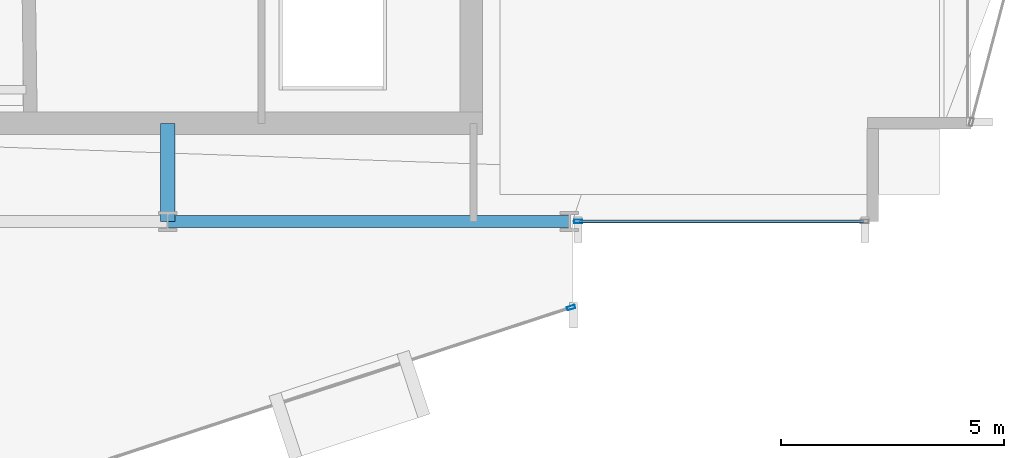
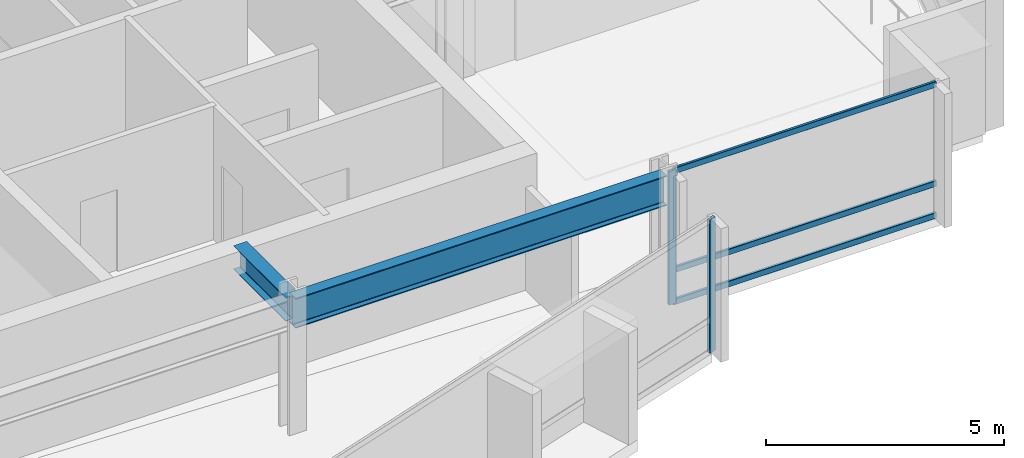
# One storey, part 10 of 28: 5 members, 2 beams, 2 elements without a shape of their own.
"""IFC4 building model written with IfcOpenShell, lengths in metres."""

from ifc_helpers import new_model, si_unit, direction, frame, origin, origin_2d, place, context, subcontext, project, spatial, hollow_rectangle, i_section, extrude, material, layer, layer_set, material_profile, profile_set, type_object, element, aggregate, save


model = new_model("IFC4")

# Units and contexts
model_context = context("Model", 3, precision=1e-05, world=origin(), true_north=direction((0.0, 1.0)))
body_context = subcontext(model_context, "Body", "Model", "MODEL_VIEW")
ifc_project = project(units=[si_unit("LENGTHUNIT", "METRE"), si_unit("AREAUNIT", "SQUARE_METRE"), si_unit("VOLUMEUNIT", "CUBIC_METRE"), si_unit("PLANEANGLEUNIT", "RADIAN"), si_unit("MASSUNIT", "GRAM", prefix="KILO")], contexts=[model_context])

# Site, building, storey
site_placement = place(None, origin())
site = spatial("IfcSite", under=ifc_project, at=site_placement, CompositionType="ELEMENT")
building_placement = place(site_placement, origin())
building = spatial("IfcBuilding", under=site, at=building_placement, Name="Solvaryn Broadcast Tower", CompositionType="ELEMENT")
storey_placement = place(building_placement, frame((0.0, 0.0, 135.89990234375)))
storey = spatial("IfcBuildingStorey", under=building, at=storey_placement, Name="L33", CompositionType="ELEMENT", Elevation=135.89990234375)

# Beams
ifc_material_1 = material(Name="Steel ASTM A992 Grade 50", Category="steel")
ifc_material_profile_1 = material_profile(ifc_material_1, i_section(OverallWidth=0.323974609375, OverallDepth=0.611083984375, WebThickness=0.0126953125, FlangeThickness=0.01904296875, FilletRadius=0.014892578125, at=origin_2d()))
ifc_profile_set_1 = profile_set([ifc_material_profile_1], Name="Steel ASTM A992 Grade 50")
beam_type_1 = type_object("IfcBeamType", Name="BM-B1-W24X104", PredefinedType="BEAM", material=ifc_profile_set_1)
beam_1_placement = place(storey_placement, frame((36.0, 9.0, 3.114501953125), z_axis=(0.0, 1.0, 0.0), x_axis=(-1.0, 0.0, 0.0)))
element("IfcBeam", 1, at=beam_1_placement, inside=storey, type_object=beam_type_1, Name="L33 Core Tie Beam CTE1", PredefinedType="BEAM", context=body_context, shape_type="SweptSolid", body=[
    extrude(i_section(OverallWidth=0.323974609375, OverallDepth=0.611083984375, WebThickness=0.0126953125, FlangeThickness=0.01904296875, FilletRadius=0.014892578125, at=origin_2d()), origin(), (0.0, 0.0, 1.0), 2.199951171875),
])
ifc_material_2 = material(Name="Steel ASTM A992 Grade 50", Category="steel")
ifc_material_profile_2 = material_profile(ifc_material_2, i_section(OverallWidth=0.26708984375, OverallDepth=0.76611328125, WebThickness=0.014892578125, FlangeThickness=0.023681640625, FilletRadius=0.01806640625, at=origin_2d()))
ifc_profile_set_2 = profile_set([ifc_material_profile_2], Name="Steel ASTM A992 Grade 50")
beam_type_2 = type_object("IfcBeamType", Name="BM-SP2-W30X124", PredefinedType="USERDEFINED", material=ifc_profile_set_2)
beam_2_placement = place(storey_placement, frame((36.0, 9.0, 3.037109375), z_axis=(1.0, 0.0, 0.0), x_axis=(0.0, 1.0, 0.0)))
element("IfcBeam", 2, at=beam_2_placement, inside=storey, type_object=beam_type_2, Name="L33 Spandrel Beam X (36-45 @ Y=9)", ObjectType="SPANDREL", PredefinedType="USERDEFINED", context=body_context, shape_type="SweptSolid", body=[
    extrude(i_section(OverallWidth=0.26708984375, OverallDepth=0.76611328125, WebThickness=0.014892578125, FlangeThickness=0.023681640625, FilletRadius=0.01806640625, at=origin_2d()), origin(), (0.0, 0.0, 1.0), 9.0),
])

# Curtain wall, member
ifc_material_3 = material(Name="Aluminium and Terracotta Unitised Curtain Wall", Category="masonry")
ifc_layer = layer(ifc_material_3, 0.199951171875)
ifc_layer_set = layer_set([ifc_layer], Name="CW-SYS2-LOWMID")
curtain_wall_type = type_object("IfcCurtainWallType", Name="CW-SYS2-LOWMID", PredefinedType="NOTDEFINED", material=ifc_layer_set)
curtain_wall_1_placement = place(storey_placement, origin())
curtain_wall_1 = element("IfcCurtainWall", 3, at=curtain_wall_1_placement, inside=storey, type_object=curtain_wall_type, Name="L33 Curtain Wall DR4", PredefinedType="NOTDEFINED")
ifc_material_4 = material(Name="Anodised Aluminium 6063-T6", Category="aluminium")
ifc_material_profile_3 = material_profile(ifc_material_4, hollow_rectangle(XDim=0.074951171875, YDim=0.179931640625, WallThickness=0.00390625, InnerFilletRadius=0.00390625, OuterFilletRadius=0.008056640625, at=origin_2d()))
ifc_profile_set_3 = profile_set([ifc_material_profile_3], Name="Anodised Aluminium 6063-T6")
member_type_1 = type_object("IfcMemberType", Name="CW-MUL-180", PredefinedType="MULLION", material=ifc_profile_set_3)
member_1_placement = place(storey_placement, frame((45.03857421875, 7.069580078125, 0.0), z_axis=(0.0, 0.0, 1.0), x_axis=(-0.311646057547, 0.950198260794, 0.0)))
member_1 = element("IfcMember", 4, at=member_1_placement, type_object=member_type_1, Name="CWS2 mullion 2", PredefinedType="MULLION", context=body_context, shape_type="SweptSolid", body=[
    extrude(hollow_rectangle(XDim=0.074951171875, YDim=0.179931640625, WallThickness=0.00390625, InnerFilletRadius=0.00390625, OuterFilletRadius=0.008056640625, at=origin_2d()), origin(), (0.0, 0.0, 1.0), 3.420166015625),
])
aggregate(curtain_wall_1, [member_1])

# Curtain wall, members
curtain_wall_2_placement = place(storey_placement, origin())
curtain_wall_2 = element("IfcCurtainWall", 5, at=curtain_wall_2_placement, inside=storey, type_object=curtain_wall_type, Name="L33 Curtain Wall S2", PredefinedType="NOTDEFINED")
member_2_placement = place(storey_placement, frame((45.197021484375, 9.0, 0.0), z_axis=(0.0, 0.0, 1.0), x_axis=(0.0, 1.0, 0.0)))
member_2 = element("IfcMember", 6, at=member_2_placement, type_object=member_type_1, Name="CWS2 mullion 1", PredefinedType="MULLION", context=body_context, shape_type="SweptSolid", body=[
    extrude(hollow_rectangle(XDim=0.074951171875, YDim=0.179931640625, WallThickness=0.00390625, InnerFilletRadius=0.00390625, OuterFilletRadius=0.008056640625, at=origin_2d()), origin(), (0.0, 0.0, 1.0), 3.420166015625),
])
ifc_material_5 = material(Name="Anodised Aluminium 6063-T6", Category="aluminium")
ifc_material_profile_4 = material_profile(ifc_material_5, hollow_rectangle(XDim=0.06494140625, YDim=0.14990234375, WallThickness=0.00390625, InnerFilletRadius=0.00390625, OuterFilletRadius=0.008056640625, at=origin_2d()))
ifc_profile_set_4 = profile_set([ifc_material_profile_4], Name="Anodised Aluminium 6063-T6")
member_type_2 = type_object("IfcMemberType", Name="CW-TRN-150", PredefinedType="USERDEFINED", material=ifc_profile_set_4)
member_3_placement = place(storey_placement, frame((45.22705078125, 9.0, 0.030029296875), z_axis=(1.0, 0.0, 0.0), x_axis=(0.0, 1.0, 0.0)))
member_3 = element("IfcMember", 7, at=member_3_placement, type_object=member_type_2, Name="CWS2 transom 1.1", ObjectType="TRANSOM", PredefinedType="USERDEFINED", context=body_context, shape_type="SweptSolid", body=[
    extrude(hollow_rectangle(XDim=0.06494140625, YDim=0.14990234375, WallThickness=0.00390625, InnerFilletRadius=0.00390625, OuterFilletRadius=0.008056640625, at=origin_2d()), origin(), (0.0, 0.0, 1.0), 6.363037109375),
])
member_4_placement = place(storey_placement, frame((45.22705078125, 9.0, 0.85009765625), z_axis=(1.0, 0.0, 0.0), x_axis=(0.0, 1.0, 0.0)))
member_4 = element("IfcMember", 8, at=member_4_placement, type_object=member_type_2, Name="CWS2 transom 1.2", ObjectType="TRANSOM", PredefinedType="USERDEFINED", context=body_context, shape_type="SweptSolid", body=[
    extrude(hollow_rectangle(XDim=0.06494140625, YDim=0.14990234375, WallThickness=0.00390625, InnerFilletRadius=0.00390625, OuterFilletRadius=0.008056640625, at=origin_2d()), origin(), (0.0, 0.0, 1.0), 6.363037109375),
])
member_5_placement = place(storey_placement, frame((45.22705078125, 9.0, 3.39013671875), z_axis=(1.0, 0.0, 0.0), x_axis=(0.0, 1.0, 0.0)))
member_5 = element("IfcMember", 9, at=member_5_placement, type_object=member_type_2, Name="CWS2 transom 1.3", ObjectType="TRANSOM", PredefinedType="USERDEFINED", context=body_context, shape_type="SweptSolid", body=[
    extrude(hollow_rectangle(XDim=0.06494140625, YDim=0.14990234375, WallThickness=0.00390625, InnerFilletRadius=0.00390625, OuterFilletRadius=0.008056640625, at=origin_2d()), origin(), (0.0, 0.0, 1.0), 6.363037109375),
])
aggregate(curtain_wall_2, [member_2, member_3, member_4, member_5])

save(model, "model.ifc")
